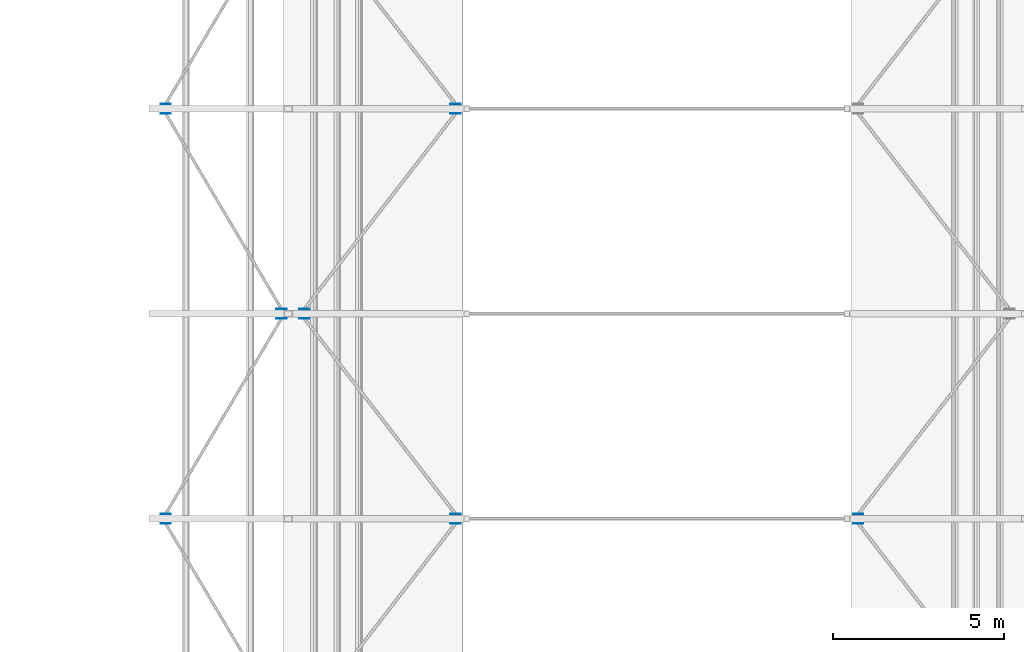
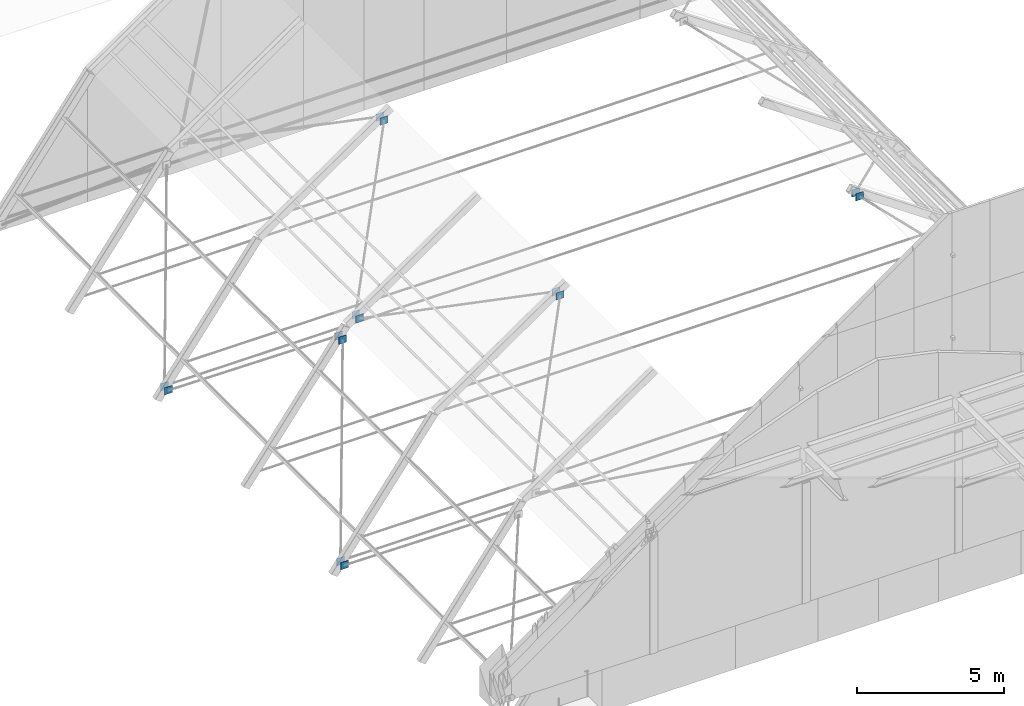
# One storey, part 30 of 43: 14 discrete accessories.
"""IFC4 building model written with IfcOpenShell, lengths in metres."""

import ifcopenshell
import ifcopenshell.guid

model = None  # the IFC model being written
_history = None  # IfcOwnerHistory: only IFC2X3 demands one
_inside = {}  # id of a spatial element -> (the spatial element, [elements in it])
_under = {}  # id of a project, library or spatial element -> (it, [spatial elements below it])
_declared = {}  # id of a project -> (the project, [libraries it declares])
_typed = {}  # id of a type object -> (the type object, [elements of that type])
_made_of = {}  # id of a material, layer set ... -> (it, [elements and type objects made of it])


def new_model(schema):
    """Start an empty IFC model of exactly this schema.

    Asked for "IFC4X3", IfcOpenShell would pick the latest addendum, in which some entities
    have other attributes; the version numbers below select the first issue.
    IFC2X3 requires an IfcOwnerHistory on every rooted entity: one is made here for all.
    """
    global model, _history
    if schema == "IFC4X3":
        model = ifcopenshell.file(schema_version=(4, 3, 0, 0))
    else:
        model = ifcopenshell.file(schema=schema)
    _inside.clear()
    _under.clear()
    _declared.clear()
    _typed.clear()
    _made_of.clear()
    _history = None
    if model.schema == "IFC2X3":
        org = make("IfcOrganization", Name="unknown")
        user = make(
            "IfcPersonAndOrganization",
            ThePerson=make("IfcPerson", FamilyName="unknown"),
            TheOrganization=org,
        )
        app = make(
            "IfcApplication",
            ApplicationDeveloper=org,
            Version="unknown",
            ApplicationFullName="unknown",
            ApplicationIdentifier="unknown",
        )
        _history = make(
            "IfcOwnerHistory",
            OwningUser=user,
            OwningApplication=app,
            ChangeAction="ADDED",
            CreationDate=0,
        )
    return model


def make(cls, **values):
    """One entity of the class cls with the attributes given. An attribute that is None is left unset."""
    return model.create_entity(
        cls, **{name: value for name, value in values.items() if value is not None}
    )


def rooted(cls, **values):
    """An entity with a GlobalId (a new one), such as an element, a storey or a relation."""
    return make(cls, GlobalId=ifcopenshell.guid.new(), OwnerHistory=_history, **values)


def si_unit(unit_type, name, prefix=None):
    """IfcSIUnit, for example si_unit("LENGTHUNIT", "METRE", prefix="MILLI")."""
    return make("IfcSIUnit", UnitType=unit_type, Prefix=prefix, Name=name)


def assignment(units):
    """IfcUnitAssignment: the units of a project."""
    return None if units is None else make("IfcUnitAssignment", Units=units)


def point(xyz):
    """IfcCartesianPoint."""
    return None if xyz is None else make("IfcCartesianPoint", Coordinates=xyz)


def direction(xyz):
    """IfcDirection."""
    return None if xyz is None else make("IfcDirection", DirectionRatios=xyz)


def frame(location, z_axis=None, x_axis=None):
    """IfcAxis2Placement3D, a coordinate frame: its origin and axes. An axis left out is left unset."""
    return make(
        "IfcAxis2Placement3D",
        Location=point(location),
        Axis=direction(z_axis),
        RefDirection=direction(x_axis),
    )


def frame_2d(location, x_axis=None):
    """IfcAxis2Placement2D, a coordinate frame in the plane: its origin and x axis."""
    return make(
        "IfcAxis2Placement2D", Location=point(location), RefDirection=direction(x_axis)
    )


def origin():
    """The frame at (0, 0, 0) with its axes left unset."""
    return frame((0.0, 0.0, 0.0))


def origin_2d():
    """The frame at (0, 0) in the plane with its x axis left unset."""
    return frame_2d((0.0, 0.0))


def place(relative_to, where):
    """IfcLocalPlacement: puts the frame where relative to a parent placement (None: the world)."""
    return make(
        "IfcLocalPlacement", PlacementRelTo=relative_to, RelativePlacement=where
    )


def context(
    kind, dimensions, precision=None, world=None, true_north=None, identifier=None
):
    """IfcGeometricRepresentationContext, for example the 3D "Model" context."""
    return make(
        "IfcGeometricRepresentationContext",
        ContextIdentifier=identifier,
        ContextType=kind,
        CoordinateSpaceDimension=dimensions,
        Precision=precision,
        WorldCoordinateSystem=world,
        TrueNorth=true_north,
    )


def subcontext(parent, identifier, kind, view, scale=None):
    """IfcGeometricRepresentationSubContext, for example "Body" below "Model"."""
    return make(
        "IfcGeometricRepresentationSubContext",
        ContextIdentifier=identifier,
        ContextType=kind,
        ParentContext=parent,
        TargetScale=scale,
        TargetView=view,
    )


def project(units=None, contexts=None):
    """IfcProject with its units and contexts."""
    return rooted(
        "IfcProject",
        Name="project",
        RepresentationContexts=contexts,
        UnitsInContext=assignment(units),
    )


def spatial(cls, under=None, at=None, **own):
    """A site, building, storey or space (cls), placed at a placement, below another one or the project."""
    s = rooted(cls, ObjectPlacement=at, **own)
    if under is not None:
        _under.setdefault(under.id(), (under, []))[1].append(s)
    return s


def profile(cls, at=None, kind="AREA", **sizes):
    """A parametric profile (cls). Its sizes go by their IFC names, for example OverallWidth=200.0."""
    return make(cls, ProfileType=kind, Position=at, **sizes)


def rectangle(**sizes):
    """IfcRectangleProfileDef."""
    return profile("IfcRectangleProfileDef", **sizes)


def extrude(swept, where, along, depth):
    """IfcExtrudedAreaSolid: the profile swept, set in the frame where, extruded along a direction by depth."""
    return make(
        "IfcExtrudedAreaSolid",
        SweptArea=swept,
        Position=where,
        ExtrudedDirection=direction(along),
        Depth=depth,
    )


def shape(context_of_items, identifier, shape_type, items):
    """IfcShapeRepresentation: the items that make up one representation, for example the "Body"."""
    return make(
        "IfcShapeRepresentation",
        ContextOfItems=context_of_items,
        RepresentationIdentifier=identifier,
        RepresentationType=shape_type,
        Items=items,
    )


def material(Name=None, Category=None):
    """IfcMaterial."""
    return make("IfcMaterial", Name=Name, Category=Category)


def material_profile(
    of_material, cross_section, Name=None, Category=None, Priority=None
):
    """IfcMaterialProfile: a cross section and its material."""
    return make(
        "IfcMaterialProfile",
        Name=Name,
        Material=of_material,
        Profile=cross_section,
        Priority=Priority,
        Category=Category,
    )


def profile_set(profiles, Name=None, composite=None):
    """IfcMaterialProfileSet."""
    return make(
        "IfcMaterialProfileSet",
        Name=Name,
        MaterialProfiles=profiles,
        CompositeProfile=composite,
    )


def made_of(thing, what):
    """Note that an element or type object is made of a material, layer set ...; save() writes the relation."""
    if what is not None:
        _made_of.setdefault(what.id(), (what, []))[1].append(thing)
    return thing


def type_object(cls, material=None, **own):
    """A type object (cls), such as IfcWallType, which elements share."""
    return made_of(rooted(cls, **own), material)


def element(
    cls,
    number,
    at=None,
    inside=None,
    cuts=None,
    type_object=None,
    material=None,
    context=None,
    identifier="Body",
    shape_type=None,
    held_by="IfcProductDefinitionShape",
    body=None,
    shapes=None,
    **own,
):
    """One element of the class cls, such as IfcWall. Its Tag is "e" and its number.

    at: its placement. inside: the storey or other place that contains it. cuts: it is an
    opening in that element (IfcRelVoidsElement). A single representation is given by context,
    identifier, shape_type and body (its items); several are given by shapes. held_by: the class
    of the entity that holds the representations. save() writes the other relations.
    """
    e = rooted(cls, Tag="e%d" % number, ObjectPlacement=at, **own)
    if body is not None:
        shapes = [shape(context, identifier, shape_type, body)]
    if shapes is not None:
        e.Representation = make(held_by, Representations=shapes)
    if inside is not None:
        _inside.setdefault(inside.id(), (inside, []))[1].append(e)
    if cuts is not None:
        rooted(
            "IfcRelVoidsElement", RelatingBuildingElement=cuts, RelatedOpeningElement=e
        )
    if type_object is not None:
        _typed.setdefault(type_object.id(), (type_object, []))[1].append(e)
    return made_of(e, material)


def aggregate(whole, parts):
    """IfcRelAggregates: a whole, such as a stair, and the parts it consists of."""
    return rooted("IfcRelAggregates", RelatingObject=whole, RelatedObjects=parts)


def save(model, path):
    """Write the relations noted so far, then the file.

    IfcRelAggregates (storeys below a building ...), IfcRelContainedInSpatialStructure (elements
    in a storey), IfcRelDefinesByType, IfcRelAssociatesMaterial and IfcRelDeclares: one each for
    every whole, place, type object, material and project.
    """
    for whole, parts in _under.values():
        aggregate(whole, parts)
    for where, things in _inside.values():
        rooted(
            "IfcRelContainedInSpatialStructure",
            RelatedElements=things,
            RelatingStructure=where,
        )
    for kind, things in _typed.values():
        rooted("IfcRelDefinesByType", RelatedObjects=things, RelatingType=kind)
    for what, things in _made_of.values():
        rooted("IfcRelAssociatesMaterial", RelatedObjects=things, RelatingMaterial=what)
    for by, libraries in _declared.values():
        rooted("IfcRelDeclares", RelatingContext=by, RelatedDefinitions=libraries)
    model.write(path)


model = new_model("IFC4")

# Units and contexts
model_context = context("Model", 3, precision=1e-05, world=origin(), true_north=direction((0.0, 1.0)))
body_context = subcontext(model_context, "Body", "Model", "MODEL_VIEW")
ifc_project = project(units=[si_unit("LENGTHUNIT", "METRE"), si_unit("AREAUNIT", "SQUARE_METRE"), si_unit("VOLUMEUNIT", "CUBIC_METRE"), si_unit("PLANEANGLEUNIT", "RADIAN"), si_unit("MASSUNIT", "GRAM", prefix="KILO")], contexts=[model_context])

# Site, building, storey
site_placement = place(None, origin())
site = spatial("IfcSite", under=ifc_project, at=site_placement, CompositionType="ELEMENT")
building_placement = place(site_placement, origin())
building = spatial("IfcBuilding", under=site, at=building_placement, Name="Saffron Lane Theatres", CompositionType="ELEMENT")
storey_placement = place(building_placement, frame((0.0, 0.0, 23.0)))
storey = spatial("IfcBuildingStorey", under=building, at=storey_placement, Name="Roof", CompositionType="ELEMENT", Elevation=23.0)

# Discrete accessories
ifc_material = material(Name="Steel Grade 350", Category="steel")
ifc_material_profile = material_profile(ifc_material, rectangle(XDim=0.300048828125, YDim=0.300048828125, at=origin_2d()))
ifc_profile_set = profile_set([ifc_material_profile], Name="Steel Grade 350")
discrete_accessory_type = type_object("IfcDiscreteAccessoryType", Name="ST-GUSSET CONNECTION PLATE", PredefinedType="BRACKET", material=ifc_profile_set)
for number, where, z_axis, x_axis, name in (
    (1, (18.623291015625, 65.86865234375, -1.576171875), (0.0, -1.0, 0.0), (1.0, 0.0, 0.0), "GB17"),
    (2, (27.105224609375, 65.86962890625, 6.6708984375), (0.0, -1.0, 0.0), (1.0, 0.0, 0.0), "GB20"),
    (3, (38.894775390625, 65.86962890625, 6.6708984375), (0.0, -1.0, 0.0), (1.0, 0.0, 0.0), "GB29"),
    (4, (18.623291015625, 66.13134765625, -1.576171875), (0.0, 1.0, 0.0), (-1.0, 0.0, 0.0), "GB33"),
    (5, (22.011962890625, 71.86865234375, 2.976318359375), (0.0, -1.0, 0.0), (1.0, 0.0, 0.0), "GB34"),
    (6, (22.683349609375, 71.86962890625, 3.62451171875), (0.0, -1.0, 0.0), (1.0, 0.0, 0.0), "GB35"),
    (7, (27.105224609375, 66.13037109375, 6.6708984375), (0.0, 1.0, 0.0), (-1.0, 0.0, 0.0), "GB36"),
    (8, (38.894775390625, 66.13037109375, 6.6708984375), (0.0, 1.0, 0.0), (-1.0, 0.0, 0.0), "GB45"),
    (9, (18.623291015625, 77.86865234375, -1.576171875), (0.0, -1.0, 0.0), (1.0, 0.0, 0.0), "GB49"),
    (10, (22.011962890625, 72.13134765625, 2.976318359375), (0.0, 1.0, 0.0), (-1.0, 0.0, 0.0), "GB50"),
    (11, (22.683349609375, 72.13037109375, 3.62451171875), (0.0, 1.0, 0.0), (-1.0, 0.0, 0.0), "GB51"),
    (12, (27.105224609375, 77.86962890625, 6.6708984375), (0.0, -1.0, 0.0), (1.0, 0.0, 0.0), "GB52"),
    (13, (18.623291015625, 78.13134765625, -1.576171875), (0.0, 1.0, 0.0), (-1.0, 0.0, 0.0), "GB65"),
    (14, (27.105224609375, 78.13037109375, 6.6708984375), (0.0, 1.0, 0.0), (-1.0, 0.0, 0.0), "GB68"),
):
    element("IfcDiscreteAccessory", number, at=place(storey_placement, frame(where, z_axis=z_axis, x_axis=x_axis)), inside=storey, type_object=discrete_accessory_type, Name=name, PredefinedType="BRACKET", context=body_context, shape_type="SweptSolid", body=[
        extrude(rectangle(XDim=0.300048828125, YDim=0.300048828125, at=origin_2d()), origin(), (0.0, 0.0, 1.0), 0.010009765625),
    ])

save(model, "model.ifc")
